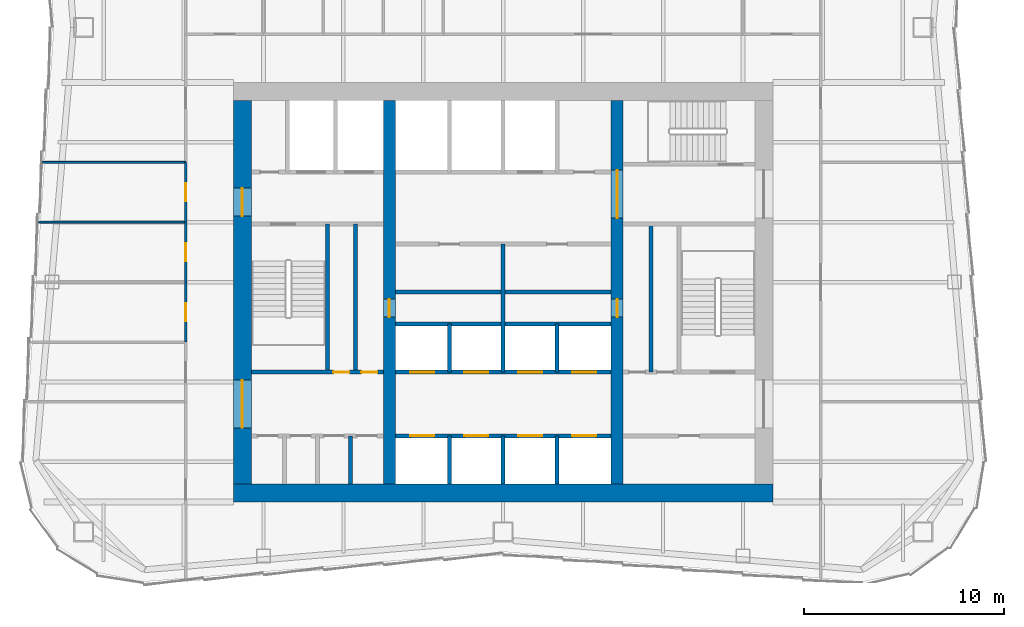
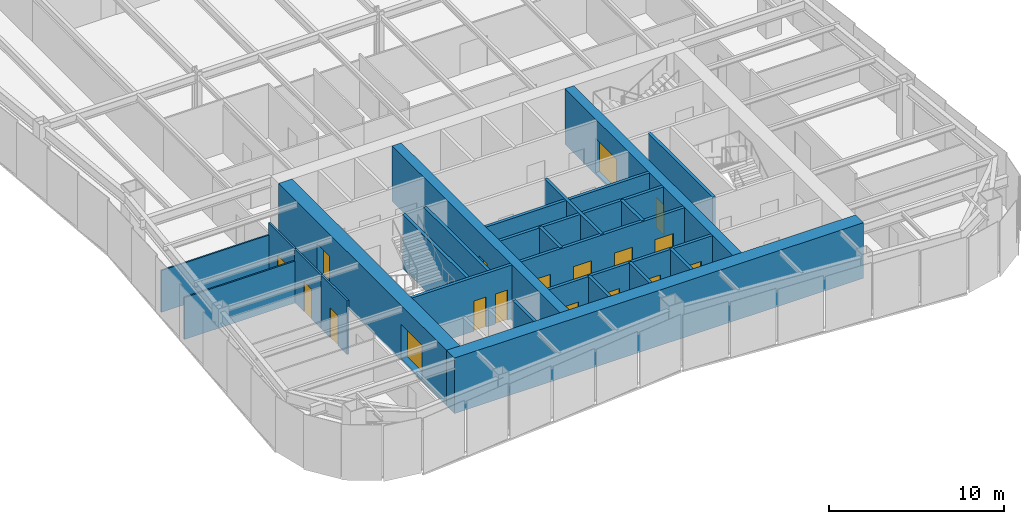
# One storey, part 5 of 10: 24 walls, 18 doors, 18 openings.
"""IFC4 building model written with IfcOpenShell, lengths in metres."""

from ifc_helpers import new_model, si_unit, direction, frame, frame_2d, origin, place, context, subcontext, project, spatial, rectangle, extrude, material, layer, layer_set, type_object, element, fill, save


model = new_model("IFC4")

# Units and contexts
model_context = context("Model", 3, precision=1e-05, world=origin(), true_north=direction((0.0, 1.0)))
body_context = subcontext(model_context, "Body", "Model", "MODEL_VIEW")
ifc_project = project(units=[si_unit("LENGTHUNIT", "METRE"), si_unit("AREAUNIT", "SQUARE_METRE"), si_unit("VOLUMEUNIT", "CUBIC_METRE"), si_unit("PLANEANGLEUNIT", "RADIAN"), si_unit("MASSUNIT", "GRAM", prefix="KILO")], contexts=[model_context])

# Site, building, storey
site_placement = place(None, origin())
site = spatial("IfcSite", under=ifc_project, at=site_placement, CompositionType="ELEMENT")
building_placement = place(site_placement, origin())
building = spatial("IfcBuilding", under=site, at=building_placement, Name="Verdant Reach Tower", CompositionType="ELEMENT")
storey_placement = place(building_placement, frame((0.0, 0.0, 222.0)))
storey = spatial("IfcBuildingStorey", under=building, at=storey_placement, Name="L51", CompositionType="ELEMENT", Elevation=222.0)

# Walls
ifc_material_1 = material(Name="Gypsum board on steel studs", Category="steel")
ifc_layer_1 = layer(ifc_material_1, 0.199951171875)
ifc_layer_set_1 = layer_set([ifc_layer_1], Name="CO-WALL-ROOM")
wall_type_1 = type_object("IfcWallType", Name="CO-WALL-ROOM", PredefinedType="PARTITIONING", material=ifc_layer_set_1)
wall_1_placement = place(storey_placement, frame((-5.39990234375, 28.0, 0.0), z_axis=(0.0, 0.0, 1.0), x_axis=(1.0, 0.0, 0.0)))
element("IfcWall", 1, at=wall_1_placement, inside=storey, type_object=wall_type_1, Name="Core partition, L51", PredefinedType="PARTITIONING", context=body_context, shape_type="SweptSolid", body=[
    extrude(rectangle(XDim=10.7998046875, YDim=0.199951171875, at=frame_2d((5.39990234375, 0.0))), origin(), (0.0, 0.0, 1.0), 3.75),
])
wall_2_placement = place(storey_placement, frame((-7.64990234375, 18.39990234375, 0.0), z_axis=(0.0, 0.0, 1.0), x_axis=(0.0, 1.0, 0.0)))
element("IfcWall", 2, at=wall_2_placement, inside=storey, type_object=wall_type_1, Name="Core partition, L51", PredefinedType="PARTITIONING", context=body_context, shape_type="SweptSolid", body=[
    extrude(rectangle(XDim=2.400146484375, YDim=0.199951171875, at=frame_2d((1.2001953125, 0.0))), origin(), (0.0, 0.0, 1.0), 3.75),
])
for number, where, z_axis, x_axis, name in (
    (3, (-7.39990234375, 24.0, 0.0), (0.0, 0.0, 1.0), (0.0, 1.0, 0.0), "Core partition, L51"),
    (4, (7.39990234375, 24.0, 0.0), (0.0, 0.0, 1.0), (0.0, 1.0, 0.0), "Core partition, L51"),
):
    element("IfcWall", number, at=place(storey_placement, frame(where, z_axis=z_axis, x_axis=x_axis)), inside=storey, type_object=wall_type_1, Name=name, PredefinedType="PARTITIONING", context=body_context, shape_type="SweptSolid", body=[
        extrude(rectangle(XDim=7.39990234375, YDim=0.199951171875, at=frame_2d((3.699951171875, 0.0))), origin(), (0.0, 0.0, 1.0), 3.75),
    ])

# Wall, openings, doors
ifc_material_2 = material(Name="Concrete C40/50", Category="concrete")
ifc_layer_2 = layer(ifc_material_2, 0.199951171875)
ifc_layer_set_2 = layer_set([ifc_layer_2], Name="CO-WALL-SHAFT")
wall_type_2 = type_object("IfcWallType", Name="CO-WALL-SHAFT", PredefinedType="PARTITIONING", material=ifc_layer_set_2)
wall_3_placement = place(storey_placement, frame((-5.39990234375, 20.800048828125, 0.0), z_axis=(0.0, 0.0, 1.0), x_axis=(1.0, 0.0, 0.0)))
wall_3 = element("IfcWall", 5, at=wall_3_placement, inside=storey, type_object=wall_type_2, Name="Lift shaft wall, L51", PredefinedType="PARTITIONING", context=body_context, shape_type="SweptSolid", body=[
    extrude(rectangle(XDim=10.7998046875, YDim=0.199951171875, at=frame_2d((5.39990234375, 0.0))), origin(), (0.0, 0.0, 1.0), 3.75),
])
opening_1_placement = place(wall_3_placement, frame((0.75, 0.0, 0.0)))
opening_1 = element("IfcOpeningElement", 6, at=opening_1_placement, cuts=wall_3, Name="Opening LD-B1", PredefinedType="OPENING", context=body_context, shape_type="SweptSolid", body=[
    extrude(rectangle(XDim=1.199951171875, YDim=2.199951171875, at=frame_2d((0.60009765625, 1.10009765625))), frame((0.0, 0.10986328125, 0.0), z_axis=(0.0, -1.0, 0.0), x_axis=(1.0, 0.0, 0.0)), (0.0, 0.0, 1.0), 0.219970703125),
])
opening_2_placement = place(wall_3_placement, frame((3.449951171875, 0.0, 0.0)))
opening_2 = element("IfcOpeningElement", 7, at=opening_2_placement, cuts=wall_3, Name="Opening LD-B2", PredefinedType="OPENING", context=body_context, shape_type="SweptSolid", body=[
    extrude(rectangle(XDim=1.199951171875, YDim=2.199951171875, at=frame_2d((0.60009765625, 1.10009765625))), frame((0.0, 0.10986328125, 0.0), z_axis=(0.0, -1.0, 0.0), x_axis=(1.0, 0.0, 0.0)), (0.0, 0.0, 1.0), 0.219970703125),
])
opening_3_placement = place(wall_3_placement, frame((6.14990234375, 0.0, 0.0)))
opening_3 = element("IfcOpeningElement", 8, at=opening_3_placement, cuts=wall_3, Name="Opening LD-B3", PredefinedType="OPENING", context=body_context, shape_type="SweptSolid", body=[
    extrude(rectangle(XDim=1.199951171875, YDim=2.199951171875, at=frame_2d((0.60009765625, 1.10009765625))), frame((0.0, 0.10986328125, 0.0), z_axis=(0.0, -1.0, 0.0), x_axis=(1.0, 0.0, 0.0)), (0.0, 0.0, 1.0), 0.219970703125),
])
opening_4_placement = place(wall_3_placement, frame((8.85009765625, 0.0, 0.0)))
opening_4 = element("IfcOpeningElement", 9, at=opening_4_placement, cuts=wall_3, Name="Opening LD-B4", PredefinedType="OPENING", context=body_context, shape_type="SweptSolid", body=[
    extrude(rectangle(XDim=1.199951171875, YDim=2.199951171875, at=frame_2d((0.60009765625, 1.10009765625))), frame((0.0, 0.10986328125, 0.0), z_axis=(0.0, -1.0, 0.0), x_axis=(1.0, 0.0, 0.0)), (0.0, 0.0, 1.0), 0.219970703125),
])
ifc_material_3 = material(Name="Stainless steel", Category="steel")
door_type_1 = type_object("IfcDoorType", Name="CO-DOOR-LANDING", OperationType="SLIDING_TO_LEFT", PredefinedType="DOOR", material=ifc_material_3)
door_1_placement = place(opening_1_placement, origin())
door_1 = element("IfcDoor", 10, at=door_1_placement, inside=storey, type_object=door_type_1, Name="Landing door B1, L51", OperationType="SLIDING_TO_LEFT", OverallHeight=2.199951171875, OverallWidth=1.199951171875, PredefinedType="DOOR", context=body_context, shape_type="SweptSolid", body=[
    extrude(rectangle(XDim=1.199951171875, YDim=2.199951171875, at=frame_2d((0.60009765625, 1.10009765625))), frame((0.0, 0.02490234375, 0.0), z_axis=(0.0, -1.0, 0.0), x_axis=(1.0, 0.0, 0.0)), (0.0, 0.0, 1.0), 0.050048828125),
])
fill(opening_1, door_1)
door_2_placement = place(opening_2_placement, origin())
door_2 = element("IfcDoor", 11, at=door_2_placement, inside=storey, type_object=door_type_1, Name="Landing door B2, L51", OperationType="SLIDING_TO_LEFT", OverallHeight=2.199951171875, OverallWidth=1.199951171875, PredefinedType="DOOR", context=body_context, shape_type="SweptSolid", body=[
    extrude(rectangle(XDim=1.199951171875, YDim=2.199951171875, at=frame_2d((0.60009765625, 1.10009765625))), frame((0.0, 0.02490234375, 0.0), z_axis=(0.0, -1.0, 0.0), x_axis=(1.0, 0.0, 0.0)), (0.0, 0.0, 1.0), 0.050048828125),
])
fill(opening_2, door_2)
door_3_placement = place(opening_3_placement, origin())
door_3 = element("IfcDoor", 12, at=door_3_placement, inside=storey, type_object=door_type_1, Name="Landing door B3, L51", OperationType="SLIDING_TO_LEFT", OverallHeight=2.199951171875, OverallWidth=1.199951171875, PredefinedType="DOOR", context=body_context, shape_type="SweptSolid", body=[
    extrude(rectangle(XDim=1.199951171875, YDim=2.199951171875, at=frame_2d((0.60009765625, 1.10009765625))), frame((0.0, 0.02490234375, 0.0), z_axis=(0.0, -1.0, 0.0), x_axis=(1.0, 0.0, 0.0)), (0.0, 0.0, 1.0), 0.050048828125),
])
fill(opening_3, door_3)
door_4_placement = place(opening_4_placement, origin())
door_4 = element("IfcDoor", 13, at=door_4_placement, inside=storey, type_object=door_type_1, Name="Landing door B4, L51", OperationType="SLIDING_TO_LEFT", OverallHeight=2.199951171875, OverallWidth=1.199951171875, PredefinedType="DOOR", context=body_context, shape_type="SweptSolid", body=[
    extrude(rectangle(XDim=1.199951171875, YDim=2.199951171875, at=frame_2d((0.60009765625, 1.10009765625))), frame((0.0, 0.02490234375, 0.0), z_axis=(0.0, -1.0, 0.0), x_axis=(1.0, 0.0, 0.0)), (0.0, 0.0, 1.0), 0.050048828125),
])
fill(opening_4, door_4)

wall_4_placement = place(storey_placement, frame((-5.39990234375, 24.0, 0.0), z_axis=(0.0, 0.0, 1.0), x_axis=(1.0, 0.0, 0.0)))
wall_4 = element("IfcWall", 14, at=wall_4_placement, inside=storey, type_object=wall_type_2, Name="Lift shaft wall, L51", PredefinedType="PARTITIONING", context=body_context, shape_type="SweptSolid", body=[
    extrude(rectangle(XDim=10.7998046875, YDim=0.199951171875, at=frame_2d((5.39990234375, 0.0))), origin(), (0.0, 0.0, 1.0), 3.75),
])
opening_5_placement = place(wall_4_placement, frame((0.75, 0.0, 0.0)))
opening_5 = element("IfcOpeningElement", 15, at=opening_5_placement, cuts=wall_4, Name="Opening LD-A5", PredefinedType="OPENING", context=body_context, shape_type="SweptSolid", body=[
    extrude(rectangle(XDim=1.199951171875, YDim=2.199951171875, at=frame_2d((0.60009765625, 1.10009765625))), frame((0.0, 0.10986328125, 0.0), z_axis=(0.0, -1.0, 0.0), x_axis=(1.0, 0.0, 0.0)), (0.0, 0.0, 1.0), 0.219970703125),
])
opening_6_placement = place(wall_4_placement, frame((3.449951171875, 0.0, 0.0)))
opening_6 = element("IfcOpeningElement", 16, at=opening_6_placement, cuts=wall_4, Name="Opening LD-A6", PredefinedType="OPENING", context=body_context, shape_type="SweptSolid", body=[
    extrude(rectangle(XDim=1.199951171875, YDim=2.199951171875, at=frame_2d((0.60009765625, 1.10009765625))), frame((0.0, 0.10986328125, 0.0), z_axis=(0.0, -1.0, 0.0), x_axis=(1.0, 0.0, 0.0)), (0.0, 0.0, 1.0), 0.219970703125),
])
opening_7_placement = place(wall_4_placement, frame((6.14990234375, 0.0, 0.0)))
opening_7 = element("IfcOpeningElement", 17, at=opening_7_placement, cuts=wall_4, Name="Opening LD-A7", PredefinedType="OPENING", context=body_context, shape_type="SweptSolid", body=[
    extrude(rectangle(XDim=1.199951171875, YDim=2.199951171875, at=frame_2d((0.60009765625, 1.10009765625))), frame((0.0, 0.10986328125, 0.0), z_axis=(0.0, -1.0, 0.0), x_axis=(1.0, 0.0, 0.0)), (0.0, 0.0, 1.0), 0.219970703125),
])
opening_8_placement = place(wall_4_placement, frame((8.85009765625, 0.0, 0.0)))
opening_8 = element("IfcOpeningElement", 18, at=opening_8_placement, cuts=wall_4, Name="Opening LD-A8", PredefinedType="OPENING", context=body_context, shape_type="SweptSolid", body=[
    extrude(rectangle(XDim=1.199951171875, YDim=2.199951171875, at=frame_2d((0.60009765625, 1.10009765625))), frame((0.0, 0.10986328125, 0.0), z_axis=(0.0, -1.0, 0.0), x_axis=(1.0, 0.0, 0.0)), (0.0, 0.0, 1.0), 0.219970703125),
])
door_5_placement = place(opening_5_placement, origin())
door_5 = element("IfcDoor", 19, at=door_5_placement, inside=storey, type_object=door_type_1, Name="Landing door A5, L51", OperationType="SLIDING_TO_LEFT", OverallHeight=2.199951171875, OverallWidth=1.199951171875, PredefinedType="DOOR", context=body_context, shape_type="SweptSolid", body=[
    extrude(rectangle(XDim=1.199951171875, YDim=2.199951171875, at=frame_2d((0.60009765625, 1.10009765625))), frame((0.0, 0.02490234375, 0.0), z_axis=(0.0, -1.0, 0.0), x_axis=(1.0, 0.0, 0.0)), (0.0, 0.0, 1.0), 0.050048828125),
])
fill(opening_5, door_5)
door_6_placement = place(opening_6_placement, origin())
door_6 = element("IfcDoor", 20, at=door_6_placement, inside=storey, type_object=door_type_1, Name="Landing door A6, L51", OperationType="SLIDING_TO_LEFT", OverallHeight=2.199951171875, OverallWidth=1.199951171875, PredefinedType="DOOR", context=body_context, shape_type="SweptSolid", body=[
    extrude(rectangle(XDim=1.199951171875, YDim=2.199951171875, at=frame_2d((0.60009765625, 1.10009765625))), frame((0.0, 0.02490234375, 0.0), z_axis=(0.0, -1.0, 0.0), x_axis=(1.0, 0.0, 0.0)), (0.0, 0.0, 1.0), 0.050048828125),
])
fill(opening_6, door_6)
door_7_placement = place(opening_7_placement, origin())
door_7 = element("IfcDoor", 21, at=door_7_placement, inside=storey, type_object=door_type_1, Name="Landing door A7, L51", OperationType="SLIDING_TO_LEFT", OverallHeight=2.199951171875, OverallWidth=1.199951171875, PredefinedType="DOOR", context=body_context, shape_type="SweptSolid", body=[
    extrude(rectangle(XDim=1.199951171875, YDim=2.199951171875, at=frame_2d((0.60009765625, 1.10009765625))), frame((0.0, 0.02490234375, 0.0), z_axis=(0.0, -1.0, 0.0), x_axis=(1.0, 0.0, 0.0)), (0.0, 0.0, 1.0), 0.050048828125),
])
fill(opening_7, door_7)
door_8_placement = place(opening_8_placement, origin())
door_8 = element("IfcDoor", 22, at=door_8_placement, inside=storey, type_object=door_type_1, Name="Landing door A8, L51", OperationType="SLIDING_TO_LEFT", OverallHeight=2.199951171875, OverallWidth=1.199951171875, PredefinedType="DOOR", context=body_context, shape_type="SweptSolid", body=[
    extrude(rectangle(XDim=1.199951171875, YDim=2.199951171875, at=frame_2d((0.60009765625, 1.10009765625))), frame((0.0, 0.02490234375, 0.0), z_axis=(0.0, -1.0, 0.0), x_axis=(1.0, 0.0, 0.0)), (0.0, 0.0, 1.0), 0.050048828125),
])
fill(opening_8, door_8)

# Walls
wall_5_placement = place(storey_placement, frame((-5.39990234375, 26.39990234375, 0.0), z_axis=(0.0, 0.0, 1.0), x_axis=(1.0, 0.0, 0.0)))
element("IfcWall", 23, at=wall_5_placement, inside=storey, type_object=wall_type_2, Name="Lift shaft wall, L51", PredefinedType="PARTITIONING", context=body_context, shape_type="SweptSolid", body=[
    extrude(rectangle(XDim=10.7998046875, YDim=0.199951171875, at=frame_2d((5.39990234375, 0.0))), origin(), (0.0, 0.0, 1.0), 3.75),
])
wall_6_placement = place(storey_placement, frame((-2.699951171875, 18.39990234375, 0.0), z_axis=(0.0, 0.0, 1.0), x_axis=(0.0, 1.0, 0.0)))
element("IfcWall", 24, at=wall_6_placement, inside=storey, type_object=wall_type_2, Name="Lift shaft wall, L51", PredefinedType="PARTITIONING", context=body_context, shape_type="SweptSolid", body=[
    extrude(rectangle(XDim=2.400146484375, YDim=0.199951171875, at=frame_2d((1.2001953125, 0.0))), origin(), (0.0, 0.0, 1.0), 3.75),
])
wall_7_placement = place(storey_placement, frame((-2.699951171875, 24.0, 0.0), z_axis=(0.0, 0.0, 1.0), x_axis=(0.0, 1.0, 0.0)))
element("IfcWall", 25, at=wall_7_placement, inside=storey, type_object=wall_type_2, Name="Lift shaft wall, L51", PredefinedType="PARTITIONING", context=body_context, shape_type="SweptSolid", body=[
    extrude(rectangle(XDim=2.39990234375, YDim=0.199951171875, at=frame_2d((1.199951171875, 0.0))), origin(), (0.0, 0.0, 1.0), 3.75),
])
wall_8_placement = place(storey_placement, frame((0.0, 18.39990234375, 0.0), z_axis=(0.0, 0.0, 1.0), x_axis=(0.0, 1.0, 0.0)))
element("IfcWall", 26, at=wall_8_placement, inside=storey, type_object=wall_type_2, Name="Lift shaft wall, L51", PredefinedType="PARTITIONING", context=body_context, shape_type="SweptSolid", body=[
    extrude(rectangle(XDim=2.400146484375, YDim=0.199951171875, at=frame_2d((1.2001953125, 0.0))), origin(), (0.0, 0.0, 1.0), 3.75),
])
wall_9_placement = place(storey_placement, frame((0.0, 24.0, 0.0), z_axis=(0.0, 0.0, 1.0), x_axis=(0.0, 1.0, 0.0)))
element("IfcWall", 27, at=wall_9_placement, inside=storey, type_object=wall_type_2, Name="Lift shaft wall, L51", PredefinedType="PARTITIONING", context=body_context, shape_type="SweptSolid", body=[
    extrude(rectangle(XDim=6.39990234375, YDim=0.199951171875, at=frame_2d((3.199951171875, 0.0))), origin(), (0.0, 0.0, 1.0), 3.75),
])
wall_10_placement = place(storey_placement, frame((2.699951171875, 18.39990234375, 0.0), z_axis=(0.0, 0.0, 1.0), x_axis=(0.0, 1.0, 0.0)))
element("IfcWall", 28, at=wall_10_placement, inside=storey, type_object=wall_type_2, Name="Lift shaft wall, L51", PredefinedType="PARTITIONING", context=body_context, shape_type="SweptSolid", body=[
    extrude(rectangle(XDim=2.400146484375, YDim=0.199951171875, at=frame_2d((1.2001953125, 0.0))), origin(), (0.0, 0.0, 1.0), 3.75),
])
wall_11_placement = place(storey_placement, frame((2.699951171875, 24.0, 0.0), z_axis=(0.0, 0.0, 1.0), x_axis=(0.0, 1.0, 0.0)))
element("IfcWall", 29, at=wall_11_placement, inside=storey, type_object=wall_type_2, Name="Lift shaft wall, L51", PredefinedType="PARTITIONING", context=body_context, shape_type="SweptSolid", body=[
    extrude(rectangle(XDim=2.39990234375, YDim=0.199951171875, at=frame_2d((1.199951171875, 0.0))), origin(), (0.0, 0.0, 1.0), 3.75),
])

# Wall, openings, doors
ifc_layer_3 = layer(ifc_material_2, 0.199951171875)
ifc_layer_set_3 = layer_set([ifc_layer_3], Name="CO-WALL-STAIR")
wall_type_3 = type_object("IfcWallType", Name="CO-WALL-STAIR", PredefinedType="PARTITIONING", material=ifc_layer_set_3)
wall_12_placement = place(storey_placement, frame((-12.60009765625, 24.0, 0.0), z_axis=(0.0, 0.0, 1.0), x_axis=(1.0, 0.0, 0.0)))
wall_12 = element("IfcWall", 30, at=wall_12_placement, inside=storey, type_object=wall_type_3, Name="Stair enclosure wall, L51", PredefinedType="PARTITIONING", context=body_context, shape_type="SweptSolid", body=[
    extrude(rectangle(XDim=6.60009765625, YDim=0.199951171875, at=frame_2d((3.300048828125, 0.0))), origin(), (0.0, 0.0, 1.0), 3.75),
])
opening_9_placement = place(wall_12_placement, frame((4.10009765625, 0.0, 0.0)))
opening_9 = element("IfcOpeningElement", 31, at=opening_9_placement, cuts=wall_12, Name="Opening CDN", PredefinedType="OPENING", context=body_context, shape_type="SweptSolid", body=[
    extrude(rectangle(XDim=0.800048828125, YDim=2.10009765625, at=frame_2d((0.39990234375, 1.050048828125))), frame((0.0, 0.10986328125, 0.0), z_axis=(0.0, -1.0, 0.0), x_axis=(1.0, 0.0, 0.0)), (0.0, 0.0, 1.0), 0.219970703125),
])
opening_10_placement = place(wall_12_placement, frame((5.5, 0.0, 0.0)))
opening_10 = element("IfcOpeningElement", 32, at=opening_10_placement, cuts=wall_12, Name="Opening CDN", PredefinedType="OPENING", context=body_context, shape_type="SweptSolid", body=[
    extrude(rectangle(XDim=0.800048828125, YDim=2.10009765625, at=frame_2d((0.39990234375, 1.050048828125))), frame((0.0, 0.10986328125, 0.0), z_axis=(0.0, -1.0, 0.0), x_axis=(1.0, 0.0, 0.0)), (0.0, 0.0, 1.0), 0.219970703125),
])
ifc_material_4 = material(Name="Timber", Category="wood")
door_type_2 = type_object("IfcDoorType", Name="CO-DOOR-ROOM-NARROW", OperationType="NOTDEFINED", PredefinedType="DOOR", material=ifc_material_4)
door_9_placement = place(opening_9_placement, origin())
door_9 = element("IfcDoor", 33, at=door_9_placement, inside=storey, type_object=door_type_2, Name="Core room door, L51", OperationType="SINGLE_SWING_RIGHT", OverallHeight=2.10009765625, OverallWidth=0.800048828125, PredefinedType="DOOR", context=body_context, shape_type="SweptSolid", body=[
    extrude(rectangle(XDim=0.800048828125, YDim=2.10009765625, at=frame_2d((0.39990234375, 1.050048828125))), frame((0.0, 0.02490234375, 0.0), z_axis=(0.0, -1.0, 0.0), x_axis=(1.0, 0.0, 0.0)), (0.0, 0.0, 1.0), 0.050048828125),
])
fill(opening_9, door_9)
door_10_placement = place(opening_10_placement, origin())
door_10 = element("IfcDoor", 34, at=door_10_placement, inside=storey, type_object=door_type_2, Name="Core room door, L51", OperationType="SINGLE_SWING_LEFT", OverallHeight=2.10009765625, OverallWidth=0.800048828125, PredefinedType="DOOR", context=body_context, shape_type="SweptSolid", body=[
    extrude(rectangle(XDim=0.800048828125, YDim=2.10009765625, at=frame_2d((0.39990234375, 1.050048828125))), frame((0.0, 0.02490234375, 0.0), z_axis=(0.0, -1.0, 0.0), x_axis=(1.0, 0.0, 0.0)), (0.0, 0.0, 1.0), 0.050048828125),
])
fill(opening_10, door_10)

# Walls
wall_13_placement = place(storey_placement, frame((-8.800048828125, 24.0, 0.0), z_axis=(0.0, 0.0, 1.0), x_axis=(0.0, 1.0, 0.0)))
element("IfcWall", 35, at=wall_13_placement, inside=storey, type_object=wall_type_3, Name="Stair enclosure wall, L51", PredefinedType="PARTITIONING", context=body_context, shape_type="SweptSolid", body=[
    extrude(rectangle(XDim=7.39990234375, YDim=0.199951171875, at=frame_2d((3.699951171875, 0.0))), origin(), (0.0, 0.0, 1.0), 3.75),
])
ifc_layer_4 = layer(ifc_material_1, 0.10009765625)
ifc_layer_set_4 = layer_set([ifc_layer_4], Name="FL-W1 Partition 100")
wall_type_4 = type_object("IfcWallType", Name="FL-W1 Partition 100", PredefinedType="PARTITIONING", material=ifc_layer_set_4)
wall_14_placement = place(storey_placement, frame((-15.89990234375, 31.5, 0.0), z_axis=(0.0, 0.0, 1.0), x_axis=(-1.0, 0.0, 0.0)))
element("IfcWall", 36, at=wall_14_placement, inside=storey, type_object=wall_type_4, Name="Partition 51.41", PredefinedType="PARTITIONING", context=body_context, shape_type="SweptSolid", body=[
    extrude(rectangle(XDim=7.3525390625, YDim=0.10009765625, at=frame_2d((3.67626953125, 0.0))), origin(), (0.0, 0.0, 1.0), 2.919921875),
])
wall_15_placement = place(storey_placement, frame((-15.89990234375, 34.5, 0.0), z_axis=(0.0, 0.0, 1.0), x_axis=(-1.0, 0.0, 0.0)))
element("IfcWall", 37, at=wall_15_placement, inside=storey, type_object=wall_type_4, Name="Partition 51.42", PredefinedType="PARTITIONING", context=body_context, shape_type="SweptSolid", body=[
    extrude(rectangle(XDim=7.1455078125, YDim=0.10009765625, at=frame_2d((3.57275390625, 0.0))), origin(), (0.0, 0.0, 1.0), 2.919921875),
])

# Wall, opening, door
ifc_material_5 = material(Name="Gypsum board on steel studs, fire rated", Category="steel")
ifc_layer_5 = layer(ifc_material_5, 0.125)
ifc_layer_set_5 = layer_set([ifc_layer_5], Name="FL-W2 Corridor wall 125")
wall_type_5 = type_object("IfcWallType", Name="FL-W2 Corridor wall 125", PredefinedType="PARTITIONING", material=ifc_layer_set_5)
wall_16_placement = place(storey_placement, frame((-15.89990234375, 25.5, 0.0), z_axis=(0.0, 0.0, 1.0), x_axis=(0.0, 1.0, 0.0)))
wall_16 = element("IfcWall", 38, at=wall_16_placement, inside=storey, type_object=wall_type_5, Name="Partition 51.09", PredefinedType="PARTITIONING", context=body_context, shape_type="SweptSolid", body=[
    extrude(rectangle(XDim=3.0, YDim=0.125, at=frame_2d((1.5, 0.0))), origin(), (0.0, 0.0, 1.0), 3.75),
])
opening_11_placement = place(wall_16_placement, frame((1.050048828125, 0.0, 0.0)))
opening_11 = element("IfcOpeningElement", 39, at=opening_11_placement, cuts=wall_16, Name="Opening D1", PredefinedType="OPENING", context=body_context, shape_type="SweptSolid", body=[
    extrude(rectangle(XDim=0.89990234375, YDim=2.10009765625, at=frame_2d((0.449951171875, 1.050048828125))), frame((0.0, 0.072509765625, 0.0), z_axis=(0.0, -1.0, 0.0), x_axis=(1.0, 0.0, 0.0)), (0.0, 0.0, 1.0), 0.14501953125),
])
ifc_material_6 = material(Name="Painted timber door leaf", Category="wood")
door_type_3 = type_object("IfcDoorType", Name="FL-D1 Door 900x2100", OperationType="NOTDEFINED", PredefinedType="DOOR", material=ifc_material_6)
door_11_placement = place(opening_11_placement, origin())
door_11 = element("IfcDoor", 40, at=door_11_placement, inside=storey, type_object=door_type_3, Name="Door 51-006", OperationType="SINGLE_SWING_RIGHT", OverallHeight=2.10009765625, OverallWidth=0.89990234375, PredefinedType="DOOR", context=body_context, shape_type="SweptSolid", body=[
    extrude(rectangle(XDim=0.89990234375, YDim=2.10009765625, at=frame_2d((0.449951171875, 1.050048828125))), frame((0.0, 0.02490234375, 0.0), z_axis=(0.0, -1.0, 0.0), x_axis=(1.0, 0.0, 0.0)), (0.0, 0.0, 1.0), 0.050048828125),
])
fill(opening_11, door_11)

wall_17_placement = place(storey_placement, frame((-15.89990234375, 28.5, 0.0), z_axis=(0.0, 0.0, 1.0), x_axis=(0.0, 1.0, 0.0)))
wall_17 = element("IfcWall", 41, at=wall_17_placement, inside=storey, type_object=wall_type_5, Name="Partition 51.10", PredefinedType="PARTITIONING", context=body_context, shape_type="SweptSolid", body=[
    extrude(rectangle(XDim=3.0, YDim=0.125, at=frame_2d((1.5, 0.0))), origin(), (0.0, 0.0, 1.0), 3.75),
])
opening_12_placement = place(wall_17_placement, frame((1.050048828125, 0.0, 0.0)))
opening_12 = element("IfcOpeningElement", 42, at=opening_12_placement, cuts=wall_17, Name="Opening D1", PredefinedType="OPENING", context=body_context, shape_type="SweptSolid", body=[
    extrude(rectangle(XDim=0.89990234375, YDim=2.10009765625, at=frame_2d((0.449951171875, 1.050048828125))), frame((0.0, 0.072509765625, 0.0), z_axis=(0.0, -1.0, 0.0), x_axis=(1.0, 0.0, 0.0)), (0.0, 0.0, 1.0), 0.14501953125),
])
door_12_placement = place(opening_12_placement, origin())
door_12 = element("IfcDoor", 43, at=door_12_placement, inside=storey, type_object=door_type_3, Name="Door 51-007", OperationType="SINGLE_SWING_LEFT", OverallHeight=2.10009765625, OverallWidth=0.89990234375, PredefinedType="DOOR", context=body_context, shape_type="SweptSolid", body=[
    extrude(rectangle(XDim=0.89990234375, YDim=2.10009765625, at=frame_2d((0.449951171875, 1.050048828125))), frame((0.0, 0.02490234375, 0.0), z_axis=(0.0, -1.0, 0.0), x_axis=(1.0, 0.0, 0.0)), (0.0, 0.0, 1.0), 0.050048828125),
])
fill(opening_12, door_12)

wall_18_placement = place(storey_placement, frame((-15.89990234375, 31.5, 0.0), z_axis=(0.0, 0.0, 1.0), x_axis=(0.0, 1.0, 0.0)))
wall_18 = element("IfcWall", 44, at=wall_18_placement, inside=storey, type_object=wall_type_5, Name="Partition 51.11", PredefinedType="PARTITIONING", context=body_context, shape_type="SweptSolid", body=[
    extrude(rectangle(XDim=3.0, YDim=0.125, at=frame_2d((1.5, 0.0))), origin(), (0.0, 0.0, 1.0), 3.75),
])
opening_13_placement = place(wall_18_placement, frame((1.050048828125, 0.0, 0.0)))
opening_13 = element("IfcOpeningElement", 45, at=opening_13_placement, cuts=wall_18, Name="Opening D1", PredefinedType="OPENING", context=body_context, shape_type="SweptSolid", body=[
    extrude(rectangle(XDim=0.89990234375, YDim=2.10009765625, at=frame_2d((0.449951171875, 1.050048828125))), frame((0.0, 0.072509765625, 0.0), z_axis=(0.0, -1.0, 0.0), x_axis=(1.0, 0.0, 0.0)), (0.0, 0.0, 1.0), 0.14501953125),
])
door_13_placement = place(opening_13_placement, origin())
door_13 = element("IfcDoor", 46, at=door_13_placement, inside=storey, type_object=door_type_3, Name="Door 51-008", OperationType="SINGLE_SWING_RIGHT", OverallHeight=2.10009765625, OverallWidth=0.89990234375, PredefinedType="DOOR", context=body_context, shape_type="SweptSolid", body=[
    extrude(rectangle(XDim=0.89990234375, YDim=2.10009765625, at=frame_2d((0.449951171875, 1.050048828125))), frame((0.0, 0.02490234375, 0.0), z_axis=(0.0, -1.0, 0.0), x_axis=(1.0, 0.0, 0.0)), (0.0, 0.0, 1.0), 0.050048828125),
])
fill(opening_13, door_13)

ifc_material_7 = material(Name="Concrete C70/85", Category="concrete")
ifc_layer_6 = layer(ifc_material_7, 0.60009765625)
ifc_layer_set_6 = layer_set([ifc_layer_6], Name="ST-CORE-WALL-600")
wall_type_6 = type_object("IfcWallType", Name="ST-CORE-WALL-600", PredefinedType="SHEAR", material=ifc_layer_set_6)
wall_19_placement = place(storey_placement, frame((-5.699951171875, 18.39990234375, -0.1298828125), z_axis=(0.0, 0.0, 1.0), x_axis=(0.0, 1.0, 0.0)))
wall_19 = element("IfcWall", 47, at=wall_19_placement, inside=storey, type_object=wall_type_6, Name="Core wall XW, L51", PredefinedType="SHEAR", context=body_context, shape_type="SweptSolid", body=[
    extrude(rectangle(XDim=19.2001953125, YDim=0.60009765625, at=frame_2d((9.60009765625, 0.0))), origin(), (0.0, 0.0, 1.0), 3.8798828125),
])
opening_14_placement = place(wall_19_placement, frame((8.35009765625, 0.0, 0.1298828125)))
opening_14 = element("IfcOpeningElement", 48, at=opening_14_placement, cuts=wall_19, Name="Opening RD", PredefinedType="OPENING", context=body_context, shape_type="SweptSolid", body=[
    extrude(rectangle(XDim=0.89990234375, YDim=2.10009765625, at=frame_2d((0.449951171875, 1.050048828125))), frame((0.0, 0.31005859375, 0.0), z_axis=(0.0, -1.0, 0.0), x_axis=(1.0, 0.0, 0.0)), (0.0, 0.0, 1.0), 0.6201171875),
])
ifc_material_8 = material(Name="Steel", Category="steel")
door_type_4 = type_object("IfcDoorType", Name="CO-DOOR-RISER", OperationType="NOTDEFINED", PredefinedType="DOOR", material=ifc_material_8)
door_14_placement = place(opening_14_placement, origin())
door_14 = element("IfcDoor", 49, at=door_14_placement, inside=storey, type_object=door_type_4, Name="Riser door, L51", OperationType="SINGLE_SWING_LEFT", OverallHeight=2.10009765625, OverallWidth=0.89990234375, PredefinedType="DOOR", context=body_context, shape_type="SweptSolid", body=[
    extrude(rectangle(XDim=0.89990234375, YDim=2.10009765625, at=frame_2d((0.449951171875, 1.050048828125))), frame((0.0, 0.02490234375, 0.0), z_axis=(0.0, -1.0, 0.0), x_axis=(1.0, 0.0, 0.0)), (0.0, 0.0, 1.0), 0.050048828125),
])
fill(opening_14, door_14)

# Wall, openings, doors
wall_20_placement = place(storey_placement, frame((5.699951171875, 18.39990234375, -0.1298828125), z_axis=(0.0, 0.0, 1.0), x_axis=(0.0, 1.0, 0.0)))
wall_20 = element("IfcWall", 50, at=wall_20_placement, inside=storey, type_object=wall_type_6, Name="Core wall XE, L51", PredefinedType="SHEAR", context=body_context, shape_type="SweptSolid", body=[
    extrude(rectangle(XDim=19.2001953125, YDim=0.60009765625, at=frame_2d((9.60009765625, 0.0))), origin(), (0.0, 0.0, 1.0), 3.8798828125),
])
opening_15_placement = place(wall_20_placement, frame((8.35009765625, 0.0, 0.1298828125)))
opening_15 = element("IfcOpeningElement", 51, at=opening_15_placement, cuts=wall_20, Name="Opening RD", PredefinedType="OPENING", context=body_context, shape_type="SweptSolid", body=[
    extrude(rectangle(XDim=0.89990234375, YDim=2.10009765625, at=frame_2d((0.449951171875, 1.050048828125))), frame((0.0, 0.31005859375, 0.0), z_axis=(0.0, -1.0, 0.0), x_axis=(1.0, 0.0, 0.0)), (0.0, 0.0, 1.0), 0.6201171875),
])
opening_16_placement = place(wall_20_placement, frame((13.300048828125, 0.0, 0.1298828125)))
opening_16 = element("IfcOpeningElement", 52, at=opening_16_placement, cuts=wall_20, Name="Opening LB", PredefinedType="OPENING", context=body_context, shape_type="SweptSolid", body=[
    extrude(rectangle(XDim=2.39990234375, YDim=2.39990234375, at=frame_2d((1.199951171875, 1.199951171875))), frame((0.0, 0.31005859375, 0.0), z_axis=(0.0, -1.0, 0.0), x_axis=(1.0, 0.0, 0.0)), (0.0, 0.0, 1.0), 0.6201171875),
])
ifc_material_9 = material(Name="Glass and steel", Category="steel")
door_type_5 = type_object("IfcDoorType", Name="CO-DOOR-LOBBY", OperationType="DOUBLE_DOOR_SINGLE_SWING", PredefinedType="DOOR", material=ifc_material_9)
door_15_placement = place(opening_16_placement, origin())
door_15 = element("IfcDoor", 53, at=door_15_placement, inside=storey, type_object=door_type_5, Name="Core entrance door, L51", OperationType="DOUBLE_DOOR_SINGLE_SWING", OverallHeight=2.39990234375, OverallWidth=2.39990234375, PredefinedType="DOOR", context=body_context, shape_type="SweptSolid", body=[
    extrude(rectangle(XDim=2.39990234375, YDim=2.39990234375, at=frame_2d((1.199951171875, 1.199951171875))), frame((0.0, 0.02490234375, 0.0), z_axis=(0.0, -1.0, 0.0), x_axis=(1.0, 0.0, 0.0)), (0.0, 0.0, 1.0), 0.050048828125),
])
fill(opening_16, door_15)
door_16_placement = place(opening_15_placement, origin())
door_16 = element("IfcDoor", 54, at=door_16_placement, inside=storey, type_object=door_type_4, Name="Riser door, L51", OperationType="SINGLE_SWING_RIGHT", OverallHeight=2.10009765625, OverallWidth=0.89990234375, PredefinedType="DOOR", context=body_context, shape_type="SweptSolid", body=[
    extrude(rectangle(XDim=0.89990234375, YDim=2.10009765625, at=frame_2d((0.449951171875, 1.050048828125))), frame((0.0, 0.02490234375, 0.0), z_axis=(0.0, -1.0, 0.0), x_axis=(1.0, 0.0, 0.0)), (0.0, 0.0, 1.0), 0.050048828125),
])
fill(opening_15, door_16)

# Wall
ifc_layer_7 = layer(ifc_material_7, 0.89990234375)
ifc_layer_set_7 = layer_set([ifc_layer_7], Name="ST-CORE-WALL-900")
wall_type_7 = type_object("IfcWallType", Name="ST-CORE-WALL-900", PredefinedType="SHEAR", material=ifc_layer_set_7)
wall_21_placement = place(storey_placement, frame((-13.5, 17.949951171875, -0.1298828125), z_axis=(0.0, 0.0, 1.0), x_axis=(1.0, 0.0, 0.0)))
element("IfcWall", 55, at=wall_21_placement, inside=storey, type_object=wall_type_7, Name="Core wall S, L51", PredefinedType="SHEAR", context=body_context, shape_type="SweptSolid", body=[
    extrude(rectangle(XDim=27.0, YDim=0.89990234375, at=frame_2d((13.5, 0.0))), origin(), (0.0, 0.0, 1.0), 3.8798828125),
])

# Wall, openings, doors
wall_22_placement = place(storey_placement, frame((-13.050048828125, 18.39990234375, -0.1298828125), z_axis=(0.0, 0.0, 1.0), x_axis=(0.0, 1.0, 0.0)))
wall_22 = element("IfcWall", 56, at=wall_22_placement, inside=storey, type_object=wall_type_7, Name="Core wall W, L51", PredefinedType="SHEAR", context=body_context, shape_type="SweptSolid", body=[
    extrude(rectangle(XDim=19.2001953125, YDim=0.89990234375, at=frame_2d((9.60009765625, 0.0))), origin(), (0.0, 0.0, 1.0), 3.8798828125),
])
opening_17_placement = place(wall_22_placement, frame((2.800048828125, 0.0, 0.1298828125)))
opening_17 = element("IfcOpeningElement", 57, at=opening_17_placement, cuts=wall_22, Name="Opening LB", PredefinedType="OPENING", context=body_context, shape_type="SweptSolid", body=[
    extrude(rectangle(XDim=2.39990234375, YDim=2.39990234375, at=frame_2d((1.199951171875, 1.199951171875))), frame((0.0, 0.4599609375, 0.0), z_axis=(0.0, -1.0, 0.0), x_axis=(1.0, 0.0, 0.0)), (0.0, 0.0, 1.0), 0.919921875),
])
opening_18_placement = place(wall_22_placement, frame((13.39990234375, 0.0, 0.1298828125)))
opening_18 = element("IfcOpeningElement", 58, at=opening_18_placement, cuts=wall_22, Name="Opening FL", PredefinedType="OPENING", context=body_context, shape_type="SweptSolid", body=[
    extrude(rectangle(XDim=1.39990234375, YDim=2.199951171875, at=frame_2d((0.699951171875, 1.10009765625))), frame((0.0, 0.4599609375, 0.0), z_axis=(0.0, -1.0, 0.0), x_axis=(1.0, 0.0, 0.0)), (0.0, 0.0, 1.0), 0.919921875),
])
door_type_6 = type_object("IfcDoorType", Name="CO-DOOR-FFL", OperationType="NOTDEFINED", PredefinedType="DOOR", material=ifc_material_8)
door_17_placement = place(opening_18_placement, origin())
door_17 = element("IfcDoor", 59, at=door_17_placement, inside=storey, type_object=door_type_6, Name="Core entrance door, L51", OperationType="SINGLE_SWING_RIGHT", OverallHeight=2.199951171875, OverallWidth=1.39990234375, PredefinedType="DOOR", context=body_context, shape_type="SweptSolid", body=[
    extrude(rectangle(XDim=1.39990234375, YDim=2.199951171875, at=frame_2d((0.699951171875, 1.10009765625))), frame((0.0, 0.02490234375, 0.0), z_axis=(0.0, -1.0, 0.0), x_axis=(1.0, 0.0, 0.0)), (0.0, 0.0, 1.0), 0.050048828125),
])
fill(opening_18, door_17)
door_18_placement = place(opening_17_placement, origin())
door_18 = element("IfcDoor", 60, at=door_18_placement, inside=storey, type_object=door_type_5, Name="Core entrance door, L51", OperationType="DOUBLE_DOOR_SINGLE_SWING", OverallHeight=2.39990234375, OverallWidth=2.39990234375, PredefinedType="DOOR", context=body_context, shape_type="SweptSolid", body=[
    extrude(rectangle(XDim=2.39990234375, YDim=2.39990234375, at=frame_2d((1.199951171875, 1.199951171875))), frame((0.0, 0.02490234375, 0.0), z_axis=(0.0, -1.0, 0.0), x_axis=(1.0, 0.0, 0.0)), (0.0, 0.0, 1.0), 0.050048828125),
])
fill(opening_17, door_18)

save(model, "model.ifc")
